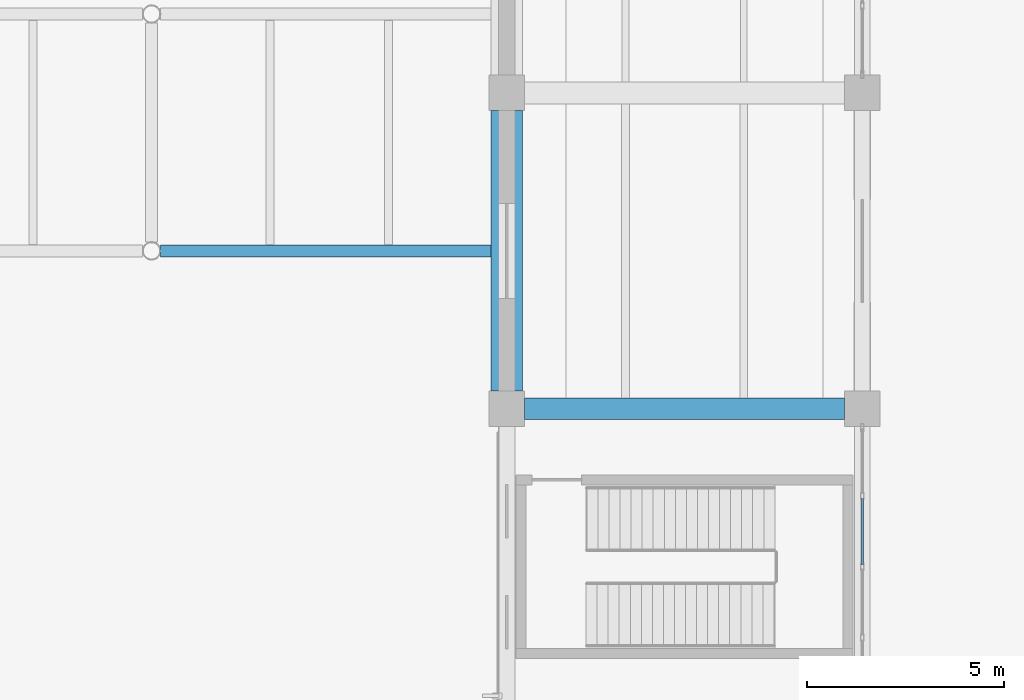
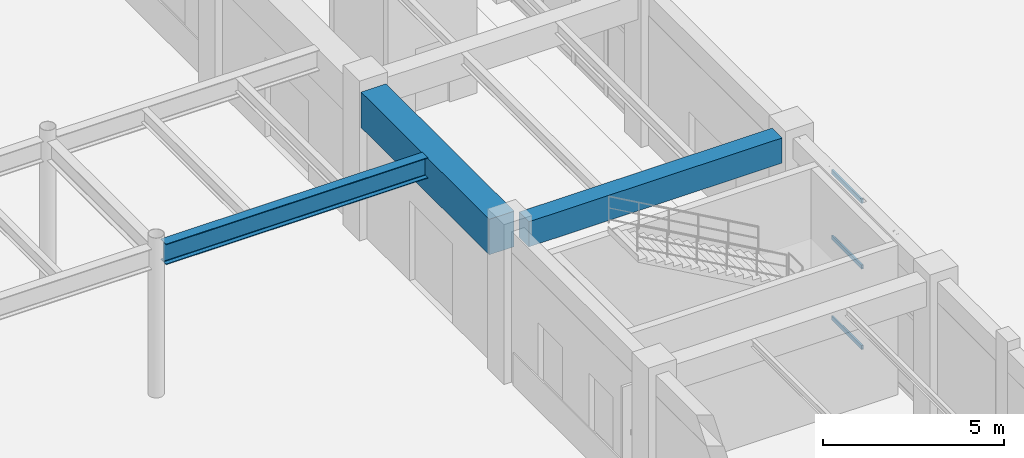
# One storey, part 28 of 121: 3 beams, 3 members, 1 element without a shape of its own.
"""IFC4 building model written with IfcOpenShell, lengths in metres."""

import ifcopenshell
import ifcopenshell.guid

model = None  # the IFC model being written
_history = None  # IfcOwnerHistory: only IFC2X3 demands one
_inside = {}  # id of a spatial element -> (the spatial element, [elements in it])
_under = {}  # id of a project, library or spatial element -> (it, [spatial elements below it])
_declared = {}  # id of a project -> (the project, [libraries it declares])
_typed = {}  # id of a type object -> (the type object, [elements of that type])
_made_of = {}  # id of a material, layer set ... -> (it, [elements and type objects made of it])


def new_model(schema):
    """Start an empty IFC model of exactly this schema.

    Asked for "IFC4X3", IfcOpenShell would pick the latest addendum, in which some entities
    have other attributes; the version numbers below select the first issue.
    IFC2X3 requires an IfcOwnerHistory on every rooted entity: one is made here for all.
    """
    global model, _history
    if schema == "IFC4X3":
        model = ifcopenshell.file(schema_version=(4, 3, 0, 0))
    else:
        model = ifcopenshell.file(schema=schema)
    _inside.clear()
    _under.clear()
    _declared.clear()
    _typed.clear()
    _made_of.clear()
    _history = None
    if model.schema == "IFC2X3":
        org = make("IfcOrganization", Name="unknown")
        user = make(
            "IfcPersonAndOrganization",
            ThePerson=make("IfcPerson", FamilyName="unknown"),
            TheOrganization=org,
        )
        app = make(
            "IfcApplication",
            ApplicationDeveloper=org,
            Version="unknown",
            ApplicationFullName="unknown",
            ApplicationIdentifier="unknown",
        )
        _history = make(
            "IfcOwnerHistory",
            OwningUser=user,
            OwningApplication=app,
            ChangeAction="ADDED",
            CreationDate=0,
        )
    return model


def make(cls, **values):
    """One entity of the class cls with the attributes given. An attribute that is None is left unset."""
    return model.create_entity(
        cls, **{name: value for name, value in values.items() if value is not None}
    )


def rooted(cls, **values):
    """An entity with a GlobalId (a new one), such as an element, a storey or a relation."""
    return make(cls, GlobalId=ifcopenshell.guid.new(), OwnerHistory=_history, **values)


def si_unit(unit_type, name, prefix=None):
    """IfcSIUnit, for example si_unit("LENGTHUNIT", "METRE", prefix="MILLI")."""
    return make("IfcSIUnit", UnitType=unit_type, Prefix=prefix, Name=name)


def derived_unit(unit_type, elements):
    """IfcDerivedUnit: a product of units, each with its exponent."""
    return make(
        "IfcDerivedUnit",
        Elements=[
            make("IfcDerivedUnitElement", Unit=unit, Exponent=power)
            for unit, power in elements
        ],
        UnitType=unit_type,
    )


def assignment(units):
    """IfcUnitAssignment: the units of a project."""
    return None if units is None else make("IfcUnitAssignment", Units=units)


def point(xyz):
    """IfcCartesianPoint."""
    return None if xyz is None else make("IfcCartesianPoint", Coordinates=xyz)


def direction(xyz):
    """IfcDirection."""
    return None if xyz is None else make("IfcDirection", DirectionRatios=xyz)


def frame(location, z_axis=None, x_axis=None):
    """IfcAxis2Placement3D, a coordinate frame: its origin and axes. An axis left out is left unset."""
    return make(
        "IfcAxis2Placement3D",
        Location=point(location),
        Axis=direction(z_axis),
        RefDirection=direction(x_axis),
    )


def frame_2d(location, x_axis=None):
    """IfcAxis2Placement2D, a coordinate frame in the plane: its origin and x axis."""
    return make(
        "IfcAxis2Placement2D", Location=point(location), RefDirection=direction(x_axis)
    )


def origin():
    """The frame at (0, 0, 0) with its axes left unset."""
    return frame((0.0, 0.0, 0.0))


def origin_2d():
    """The frame at (0, 0) in the plane with its x axis left unset."""
    return frame_2d((0.0, 0.0))


def place(relative_to, where):
    """IfcLocalPlacement: puts the frame where relative to a parent placement (None: the world)."""
    return make(
        "IfcLocalPlacement", PlacementRelTo=relative_to, RelativePlacement=where
    )


def context(
    kind, dimensions, precision=None, world=None, true_north=None, identifier=None
):
    """IfcGeometricRepresentationContext, for example the 3D "Model" context."""
    return make(
        "IfcGeometricRepresentationContext",
        ContextIdentifier=identifier,
        ContextType=kind,
        CoordinateSpaceDimension=dimensions,
        Precision=precision,
        WorldCoordinateSystem=world,
        TrueNorth=true_north,
    )


def subcontext(parent, identifier, kind, view, scale=None):
    """IfcGeometricRepresentationSubContext, for example "Body" below "Model"."""
    return make(
        "IfcGeometricRepresentationSubContext",
        ContextIdentifier=identifier,
        ContextType=kind,
        ParentContext=parent,
        TargetScale=scale,
        TargetView=view,
    )


def project(units=None, contexts=None):
    """IfcProject with its units and contexts."""
    return rooted(
        "IfcProject",
        Name="project",
        RepresentationContexts=contexts,
        UnitsInContext=assignment(units),
    )


def spatial(cls, under=None, at=None, **own):
    """A site, building, storey or space (cls), placed at a placement, below another one or the project."""
    s = rooted(cls, ObjectPlacement=at, **own)
    if under is not None:
        _under.setdefault(under.id(), (under, []))[1].append(s)
    return s


def profile(cls, at=None, kind="AREA", **sizes):
    """A parametric profile (cls). Its sizes go by their IFC names, for example OverallWidth=200.0."""
    return make(cls, ProfileType=kind, Position=at, **sizes)


def rectangle(**sizes):
    """IfcRectangleProfileDef."""
    return profile("IfcRectangleProfileDef", **sizes)


def hollow_rectangle(**sizes):
    """IfcRectangleHollowProfileDef."""
    return profile("IfcRectangleHollowProfileDef", **sizes)


def i_section(**sizes):
    """IfcIShapeProfileDef."""
    return profile("IfcIShapeProfileDef", **sizes)


def extrude(swept, where, along, depth):
    """IfcExtrudedAreaSolid: the profile swept, set in the frame where, extruded along a direction by depth."""
    return make(
        "IfcExtrudedAreaSolid",
        SweptArea=swept,
        Position=where,
        ExtrudedDirection=direction(along),
        Depth=depth,
    )


def shape(context_of_items, identifier, shape_type, items):
    """IfcShapeRepresentation: the items that make up one representation, for example the "Body"."""
    return make(
        "IfcShapeRepresentation",
        ContextOfItems=context_of_items,
        RepresentationIdentifier=identifier,
        RepresentationType=shape_type,
        Items=items,
    )


def material(Name=None, Category=None):
    """IfcMaterial."""
    return make("IfcMaterial", Name=Name, Category=Category)


def material_profile(
    of_material, cross_section, Name=None, Category=None, Priority=None
):
    """IfcMaterialProfile: a cross section and its material."""
    return make(
        "IfcMaterialProfile",
        Name=Name,
        Material=of_material,
        Profile=cross_section,
        Priority=Priority,
        Category=Category,
    )


def profile_set(profiles, Name=None, composite=None):
    """IfcMaterialProfileSet."""
    return make(
        "IfcMaterialProfileSet",
        Name=Name,
        MaterialProfiles=profiles,
        CompositeProfile=composite,
    )


def made_of(thing, what):
    """Note that an element or type object is made of a material, layer set ...; save() writes the relation."""
    if what is not None:
        _made_of.setdefault(what.id(), (what, []))[1].append(thing)
    return thing


def type_object(cls, material=None, **own):
    """A type object (cls), such as IfcWallType, which elements share."""
    return made_of(rooted(cls, **own), material)


def element(
    cls,
    number,
    at=None,
    inside=None,
    cuts=None,
    type_object=None,
    material=None,
    context=None,
    identifier="Body",
    shape_type=None,
    held_by="IfcProductDefinitionShape",
    body=None,
    shapes=None,
    **own,
):
    """One element of the class cls, such as IfcWall. Its Tag is "e" and its number.

    at: its placement. inside: the storey or other place that contains it. cuts: it is an
    opening in that element (IfcRelVoidsElement). A single representation is given by context,
    identifier, shape_type and body (its items); several are given by shapes. held_by: the class
    of the entity that holds the representations. save() writes the other relations.
    """
    e = rooted(cls, Tag="e%d" % number, ObjectPlacement=at, **own)
    if body is not None:
        shapes = [shape(context, identifier, shape_type, body)]
    if shapes is not None:
        e.Representation = make(held_by, Representations=shapes)
    if inside is not None:
        _inside.setdefault(inside.id(), (inside, []))[1].append(e)
    if cuts is not None:
        rooted(
            "IfcRelVoidsElement", RelatingBuildingElement=cuts, RelatedOpeningElement=e
        )
    if type_object is not None:
        _typed.setdefault(type_object.id(), (type_object, []))[1].append(e)
    return made_of(e, material)


def aggregate(whole, parts):
    """IfcRelAggregates: a whole, such as a stair, and the parts it consists of."""
    return rooted("IfcRelAggregates", RelatingObject=whole, RelatedObjects=parts)


def save(model, path):
    """Write the relations noted so far, then the file.

    IfcRelAggregates (storeys below a building ...), IfcRelContainedInSpatialStructure (elements
    in a storey), IfcRelDefinesByType, IfcRelAssociatesMaterial and IfcRelDeclares: one each for
    every whole, place, type object, material and project.
    """
    for whole, parts in _under.values():
        aggregate(whole, parts)
    for where, things in _inside.values():
        rooted(
            "IfcRelContainedInSpatialStructure",
            RelatedElements=things,
            RelatingStructure=where,
        )
    for kind, things in _typed.values():
        rooted("IfcRelDefinesByType", RelatedObjects=things, RelatingType=kind)
    for what, things in _made_of.values():
        rooted("IfcRelAssociatesMaterial", RelatedObjects=things, RelatingMaterial=what)
    for by, libraries in _declared.values():
        rooted("IfcRelDeclares", RelatingContext=by, RelatedDefinitions=libraries)
    model.write(path)


model = new_model("IFC4")

# Units and contexts
model_context = context("Model", 3, precision=1e-05, world=origin(), true_north=direction((0.0, 1.0)))
body_context = subcontext(model_context, "Body", "Model", "MODEL_VIEW")
ifc_project = project(units=[si_unit("LENGTHUNIT", "METRE"), si_unit("AREAUNIT", "SQUARE_METRE"), si_unit("VOLUMEUNIT", "CUBIC_METRE"), si_unit("PLANEANGLEUNIT", "RADIAN"), si_unit("MASSUNIT", "GRAM", prefix="KILO"), derived_unit("THERMALTRANSMITTANCEUNIT", [(si_unit("MASSUNIT", "GRAM", prefix="KILO"), 1), (si_unit("TIMEUNIT", "SECOND"), -3), (si_unit("THERMODYNAMICTEMPERATUREUNIT", "KELVIN"), -1)])], contexts=[model_context])

# Site, building, storey
site_placement = place(None, origin())
site = spatial("IfcSite", under=ifc_project, at=site_placement, CompositionType="ELEMENT")
building_placement = place(site_placement, origin())
building = spatial("IfcBuilding", under=site, at=building_placement, Name="Zhenchuan Archway Interchange", CompositionType="ELEMENT")
storey_placement = place(building_placement, origin())
storey = spatial("IfcBuildingStorey", under=building, at=storey_placement, Name="L00", CompositionType="ELEMENT", Elevation=0.0)

# Beams
ifc_material_1 = material(Name="Concrete C40", Category="concrete")
ifc_material_profile_1 = material_profile(ifc_material_1, rectangle(XDim=0.550048828125, YDim=0.85009765625, at=origin_2d()), Name="RC 550x850")
ifc_profile_set_1 = profile_set([ifc_material_profile_1], Name="Concrete C40")
beam_type_1 = type_object("IfcBeamType", Name="BM_RC_550x850", PredefinedType="BEAM", material=ifc_profile_set_1)
beam_1_placement = place(storey_placement, frame((99.449951171875, 48.0, 4.655029296875), z_axis=(1.0, 0.0, 0.0), x_axis=(0.0, 1.0, 0.0)))
element("IfcBeam", 1, at=beam_1_placement, inside=storey, type_object=beam_type_1, Name="Beam G:12-13 (L00)", PredefinedType="BEAM", context=body_context, shape_type="SweptSolid", body=[
    extrude(rectangle(XDim=0.550048828125, YDim=0.85009765625, at=origin_2d()), origin(), (0.0, 0.0, 1.0), 8.10009765625),
])
ifc_material_2 = material(Name="Concrete C50", Category="concrete")
ifc_material_profile_2 = material_profile(ifc_material_2, rectangle(XDim=0.800048828125, YDim=1.199951171875, at=origin_2d()), Name="RC 800x1200")
ifc_profile_set_2 = profile_set([ifc_material_profile_2], Name="Concrete C50")
beam_type_2 = type_object("IfcBeamType", Name="BM_RC_800x1200", PredefinedType="BEAM", material=ifc_profile_set_2)
beam_2_placement = place(storey_placement, frame((99.0, 48.449951171875, 4.419921875), z_axis=(0.0, 1.0, 0.0), x_axis=(-1.0, 0.0, 0.0)))
element("IfcBeam", 2, at=beam_2_placement, inside=storey, type_object=beam_type_2, Name="Beam 12:G-H (L00)", PredefinedType="BEAM", context=body_context, shape_type="SweptSolid", body=[
    extrude(rectangle(XDim=0.800048828125, YDim=1.199951171875, at=origin_2d()), origin(), (0.0, 0.0, 1.0), 7.10009765625),
])
ifc_material_3 = material(Name="Steel Q390", Category="steel")
ifc_material_profile_3 = material_profile(ifc_material_3, i_section(OverallWidth=0.300048828125, OverallDepth=0.699951171875, WebThickness=0.012939453125, FlangeThickness=0.02392578125, FilletRadius=0.02392578125, at=origin_2d()), Name="HN 700x300")
ifc_profile_set_3 = profile_set([ifc_material_profile_3], Name="Steel Q390")
beam_type_3 = type_object("IfcBeamType", Name="BM_STL_HN700", PredefinedType="BEAM", material=ifc_profile_set_3)
beam_3_placement = place(storey_placement, frame((90.228515625, 52.0, 4.699951171875), z_axis=(1.0, 0.0, 0.0), x_axis=(0.0, 1.0, 0.0)))
element("IfcBeam", 3, at=beam_3_placement, inside=storey, type_object=beam_type_3, Name="Footbridge primary deck girder E-S (L00)", PredefinedType="BEAM", context=body_context, shape_type="SweptSolid", body=[
    extrude(i_section(OverallWidth=0.300048828125, OverallDepth=0.699951171875, WebThickness=0.012939453125, FlangeThickness=0.02392578125, FilletRadius=0.02392578125, at=origin_2d()), origin(), (0.0, 0.0, 1.0), 8.37158203125),
])

# Curtain wall, members
ifc_material_4 = material(Name="Anodised Aluminium", Category="aluminium")
curtain_wall_type = type_object("IfcCurtainWallType", Name="CW_UNIT_3", PredefinedType="NOTDEFINED", material=ifc_material_4)
curtain_wall_placement = place(storey_placement, origin())
curtain_wall = element("IfcCurtainWall", 4, at=curtain_wall_placement, inside=storey, type_object=curtain_wall_type, Name="Unitised curtain wall CW:L00:026", PredefinedType="NOTDEFINED")
ifc_material_profile_4 = material_profile(ifc_material_4, hollow_rectangle(XDim=0.06005859375, YDim=0.139892578125, WallThickness=0.00341796875, InnerFilletRadius=0.00341796875, OuterFilletRadius=0.007080078125, at=origin_2d()), Name="ALU 140x60x3.5")
ifc_profile_set_4 = profile_set([ifc_material_profile_4], Name="Anodised Aluminium")
member_type = type_object("IfcMemberType", Name="CW_TRN_140", PredefinedType="USERDEFINED", material=ifc_profile_set_4)
member_1_placement = place(storey_placement, frame((108.0, 45.73095703125, 0.06005859375), z_axis=(0.0, -1.0, 0.0), x_axis=(1.0, 0.0, 0.0)))
member_1 = element("IfcMember", 5, at=member_1_placement, type_object=member_type, Name="CW:L00:026 transom 1-1", ObjectType="TRANSOM", PredefinedType="USERDEFINED", context=body_context, shape_type="SweptSolid", body=[
    extrude(hollow_rectangle(XDim=0.06005859375, YDim=0.139892578125, WallThickness=0.00341796875, InnerFilletRadius=0.00341796875, OuterFilletRadius=0.007080078125, at=origin_2d()), origin(), (0.0, 0.0, 1.0), 1.6708984375),
])
member_2_placement = place(storey_placement, frame((108.0, 45.73095703125, 2.782958984375), z_axis=(0.0, -1.0, 0.0), x_axis=(1.0, 0.0, 0.0)))
member_2 = element("IfcMember", 6, at=member_2_placement, type_object=member_type, Name="CW:L00:026 transom 1-2", ObjectType="TRANSOM", PredefinedType="USERDEFINED", context=body_context, shape_type="SweptSolid", body=[
    extrude(hollow_rectangle(XDim=0.06005859375, YDim=0.139892578125, WallThickness=0.00341796875, InnerFilletRadius=0.00341796875, OuterFilletRadius=0.007080078125, at=origin_2d()), origin(), (0.0, 0.0, 1.0), 1.6708984375),
])
member_3_placement = place(storey_placement, frame((108.0, 45.73095703125, 5.0), z_axis=(0.0, -1.0, 0.0), x_axis=(1.0, 0.0, 0.0)))
member_3 = element("IfcMember", 7, at=member_3_placement, type_object=member_type, Name="CW:L00:026 transom 1-3", ObjectType="TRANSOM", PredefinedType="USERDEFINED", context=body_context, shape_type="SweptSolid", body=[
    extrude(hollow_rectangle(XDim=0.06005859375, YDim=0.139892578125, WallThickness=0.00341796875, InnerFilletRadius=0.00341796875, OuterFilletRadius=0.007080078125, at=origin_2d()), origin(), (0.0, 0.0, 1.0), 1.6708984375),
])
aggregate(curtain_wall, [member_1, member_2, member_3])

save(model, "model.ifc")
